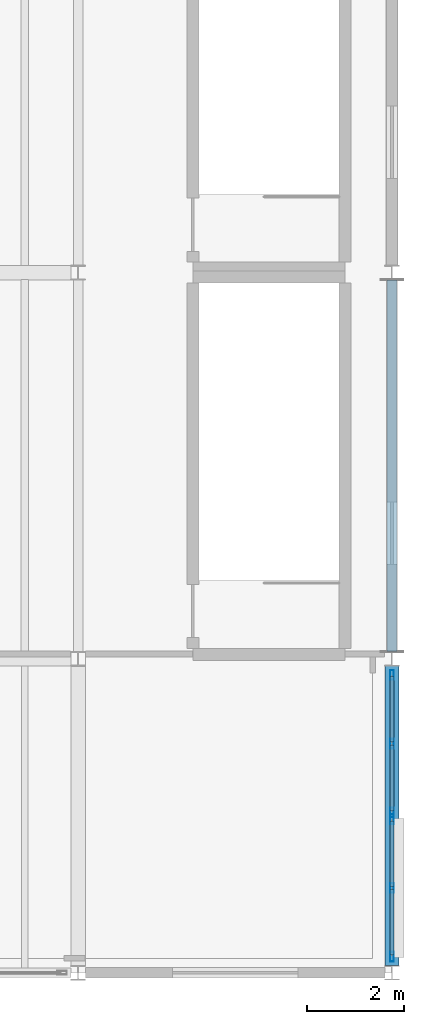
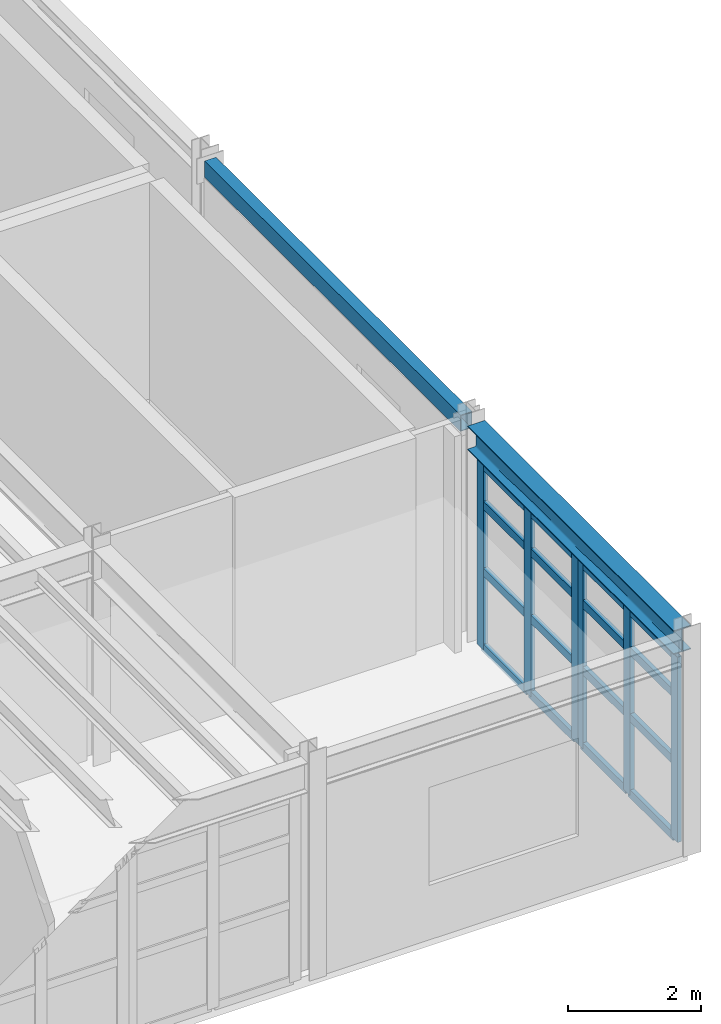
# One storey, part 9 of 27: 22 members, 2 beams, 2 elements without a shape of their own.
"""IFC4 building model written with IfcOpenShell, lengths in metres."""

from ifc_helpers import new_model, si_unit, direction, frame, origin, origin_2d, place, context, subcontext, project, spatial, hollow_rectangle, i_section, extrude, material, material_profile, profile_set, type_object, element, aggregate, save


model = new_model("IFC4")

# Units and contexts
model_context = context("Model", 3, precision=1e-05, world=origin(), true_north=direction((0.0, 1.0)))
body_context = subcontext(model_context, "Body", "Model", "MODEL_VIEW")
ifc_project = project(units=[si_unit("LENGTHUNIT", "METRE"), si_unit("AREAUNIT", "SQUARE_METRE"), si_unit("VOLUMEUNIT", "CUBIC_METRE"), si_unit("PLANEANGLEUNIT", "RADIAN"), si_unit("MASSUNIT", "GRAM", prefix="KILO"), si_unit("THERMODYNAMICTEMPERATUREUNIT", "KELVIN"), si_unit("POWERUNIT", "WATT")], contexts=[model_context])

# Site, building, storey
site_placement = place(None, origin())
site = spatial("IfcSite", under=ifc_project, at=site_placement, CompositionType="ELEMENT")
building_placement = place(site_placement, origin())
building = spatial("IfcBuilding", under=site, at=building_placement, Name="Zhenchuan Central Fire Station", CompositionType="ELEMENT")
storey_placement = place(building_placement, frame((0.0, 0.0, 14.25)))
storey = spatial("IfcBuildingStorey", under=building, at=storey_placement, Name="L04", CompositionType="ELEMENT", Elevation=14.25)

# Beam
ifc_material_1 = material(Name="Steel Q355B", Category="steel")
ifc_material_profile_1 = material_profile(ifc_material_1, i_section(OverallWidth=0.300048828125, OverallDepth=0.43994140625, WebThickness=0.010986328125, FlangeThickness=0.01806640625, FilletRadius=0.02197265625, at=origin_2d()), Name="HM 440x300")
ifc_profile_set_1 = profile_set([ifc_material_profile_1], Name="Steel Q355B")
beam_type_1 = type_object("IfcBeamType", Name="BM-HM440", PredefinedType="BEAM", material=ifc_profile_set_1)
beam_1_placement = place(storey_placement, frame((161.0, 0.14990234375, 3.760009765625), z_axis=(0.0, 1.0, 0.0), x_axis=(-1.0, 0.0, 0.0)))
element("IfcBeam", 1, at=beam_1_placement, inside=storey, type_object=beam_type_1, Name="L05 Girder NS 0480", PredefinedType="BEAM", context=body_context, shape_type="SweptSolid", body=[
    extrude(i_section(OverallWidth=0.300048828125, OverallDepth=0.43994140625, WebThickness=0.010986328125, FlangeThickness=0.01806640625, FilletRadius=0.02197265625, at=origin_2d()), origin(), (0.0, 0.0, 1.0), 6.2001953125),
])

# Curtain wall, members
ifc_material_2 = material(Name="Anodised aluminium and low-E glazing", Category="aluminium")
curtain_wall_type_1 = type_object("IfcCurtainWallType", Name="CW-MOD-04", PredefinedType="USERDEFINED", material=ifc_material_2)
curtain_wall_1_placement = place(storey_placement, origin())
curtain_wall_1 = element("IfcCurtainWall", 2, at=curtain_wall_1_placement, inside=storey, type_object=curtain_wall_type_1, Name="L04 Unitised Curtain Wall 126", ObjectType="UNITISED GLAZING", PredefinedType="USERDEFINED")
ifc_material_3 = material(Name="Anodised aluminium EN AW-6063", Category="aluminium")
ifc_material_profile_2 = material_profile(ifc_material_3, hollow_rectangle(XDim=0.074951171875, YDim=0.199951171875, WallThickness=0.0048828125, at=origin_2d()), Name="ALU-M 200x75")
ifc_profile_set_2 = profile_set([ifc_material_profile_2], Name="Anodised aluminium EN AW-6063")
member_type_1 = type_object("IfcMemberType", Name="CW-MUL160", PredefinedType="MULLION", material=ifc_profile_set_2)
member_1_placement = place(storey_placement, frame((161.0, 0.33251953125, -0.00390625), z_axis=(0.0, 0.0, 1.0), x_axis=(-1.0, 0.0, 0.0)))
member_1 = element("IfcMember", 3, at=member_1_placement, type_object=member_type_1, Name="CW-04 mullion 1", PredefinedType="MULLION", context=body_context, shape_type="SweptSolid", body=[
    extrude(hollow_rectangle(XDim=0.074951171875, YDim=0.199951171875, WallThickness=0.0048828125, at=origin_2d()), origin(), (0.0, 0.0, 1.0), 3.40380859375),
])
member_2_placement = place(storey_placement, frame((161.0, 1.756103515625, -0.00390625), z_axis=(0.0, 0.0, 1.0), x_axis=(-1.0, 0.0, 0.0)))
member_2 = element("IfcMember", 4, at=member_2_placement, type_object=member_type_1, Name="CW-04 mullion 2", PredefinedType="MULLION", context=body_context, shape_type="SweptSolid", body=[
    extrude(hollow_rectangle(XDim=0.074951171875, YDim=0.199951171875, WallThickness=0.0048828125, at=origin_2d()), origin(), (0.0, 0.0, 1.0), 3.40380859375),
])
member_3_placement = place(storey_placement, frame((161.0, 3.179443359375, -0.00390625), z_axis=(0.0, 0.0, 1.0), x_axis=(-1.0, 0.0, 0.0)))
member_3 = element("IfcMember", 5, at=member_3_placement, type_object=member_type_1, Name="CW-04 mullion 3", PredefinedType="MULLION", context=body_context, shape_type="SweptSolid", body=[
    extrude(hollow_rectangle(XDim=0.074951171875, YDim=0.199951171875, WallThickness=0.0048828125, at=origin_2d()), origin(), (0.0, 0.0, 1.0), 3.40380859375),
])

curtain_wall_type_2 = type_object("IfcCurtainWallType", Name="CW-MOD-05", PredefinedType="USERDEFINED", material=ifc_material_2)
curtain_wall_2_placement = place(storey_placement, origin())
curtain_wall_2 = element("IfcCurtainWall", 6, at=curtain_wall_2_placement, inside=storey, type_object=curtain_wall_type_2, Name="L04 Unitised Curtain Wall 127", ObjectType="UNITISED GLAZING", PredefinedType="USERDEFINED")
member_4_placement = place(storey_placement, frame((161.0, 3.320556640625, -0.00390625), z_axis=(0.0, 0.0, 1.0), x_axis=(-1.0, 0.0, 0.0)))
member_4 = element("IfcMember", 7, at=member_4_placement, type_object=member_type_1, Name="CW-05 mullion 1", PredefinedType="MULLION", context=body_context, shape_type="SweptSolid", body=[
    extrude(hollow_rectangle(XDim=0.074951171875, YDim=0.199951171875, WallThickness=0.0048828125, at=origin_2d()), origin(), (0.0, 0.0, 1.0), 3.40380859375),
])
member_5_placement = place(storey_placement, frame((161.0, 4.743896484375, -0.00390625), z_axis=(0.0, 0.0, 1.0), x_axis=(-1.0, 0.0, 0.0)))
member_5 = element("IfcMember", 8, at=member_5_placement, type_object=member_type_1, Name="CW-05 mullion 2", PredefinedType="MULLION", context=body_context, shape_type="SweptSolid", body=[
    extrude(hollow_rectangle(XDim=0.074951171875, YDim=0.199951171875, WallThickness=0.0048828125, at=origin_2d()), origin(), (0.0, 0.0, 1.0), 3.40380859375),
])
member_6_placement = place(storey_placement, frame((161.0, 6.16748046875, -0.00390625), z_axis=(0.0, 0.0, 1.0), x_axis=(-1.0, 0.0, 0.0)))
member_6 = element("IfcMember", 9, at=member_6_placement, type_object=member_type_1, Name="CW-05 mullion 3", PredefinedType="MULLION", context=body_context, shape_type="SweptSolid", body=[
    extrude(hollow_rectangle(XDim=0.074951171875, YDim=0.199951171875, WallThickness=0.0048828125, at=origin_2d()), origin(), (0.0, 0.0, 1.0), 3.40380859375),
])

# Member
ifc_material_profile_3 = material_profile(ifc_material_3, hollow_rectangle(XDim=0.074951171875, YDim=0.14990234375, WallThickness=0.0048828125, at=origin_2d()), Name="ALU-T 150x75")
ifc_profile_set_3 = profile_set([ifc_material_profile_3], Name="Anodised aluminium EN AW-6063")
member_type_2 = type_object("IfcMemberType", Name="CW-TRN130", PredefinedType="NOTDEFINED", material=ifc_profile_set_3)
member_7_placement = place(storey_placement, frame((161.0, 0.364990234375, 0.028564453125), z_axis=(0.0, 1.0, 0.0), x_axis=(-1.0, 0.0, 0.0)))
member_7 = element("IfcMember", 10, at=member_7_placement, type_object=member_type_2, Name="CW-04 transom 1.1", ObjectType="TRANSOM", PredefinedType="USERDEFINED", context=body_context, shape_type="SweptSolid", body=[
    extrude(hollow_rectangle(XDim=0.074951171875, YDim=0.14990234375, WallThickness=0.0048828125, at=origin_2d()), origin(), (0.0, 0.0, 1.0), 1.3583984375),
])

member_8_placement = place(storey_placement, frame((161.0, 0.364990234375, 1.427978515625), z_axis=(0.0, 1.0, 0.0), x_axis=(-1.0, 0.0, 0.0)))
member_8 = element("IfcMember", 11, at=member_8_placement, type_object=member_type_2, Name="CW-04 transom 1.2", ObjectType="TRANSOM", PredefinedType="USERDEFINED", context=body_context, shape_type="SweptSolid", body=[
    extrude(hollow_rectangle(XDim=0.074951171875, YDim=0.14990234375, WallThickness=0.0048828125, at=origin_2d()), origin(), (0.0, 0.0, 1.0), 1.3583984375),
])

member_9_placement = place(storey_placement, frame((161.0, 0.364990234375, 2.652099609375), z_axis=(0.0, 1.0, 0.0), x_axis=(-1.0, 0.0, 0.0)))
member_9 = element("IfcMember", 12, at=member_9_placement, type_object=member_type_2, Name="CW-04 transom 1.3", ObjectType="TRANSOM", PredefinedType="USERDEFINED", context=body_context, shape_type="SweptSolid", body=[
    extrude(hollow_rectangle(XDim=0.074951171875, YDim=0.14990234375, WallThickness=0.0048828125, at=origin_2d()), origin(), (0.0, 0.0, 1.0), 1.3583984375),
])

member_10_placement = place(storey_placement, frame((161.0, 0.364990234375, 3.367431640625), z_axis=(0.0, 1.0, 0.0), x_axis=(-1.0, 0.0, 0.0)))
member_10 = element("IfcMember", 13, at=member_10_placement, type_object=member_type_2, Name="CW-04 transom 1.4", ObjectType="TRANSOM", PredefinedType="USERDEFINED", context=body_context, shape_type="SweptSolid", body=[
    extrude(hollow_rectangle(XDim=0.074951171875, YDim=0.14990234375, WallThickness=0.0048828125, at=origin_2d()), origin(), (0.0, 0.0, 1.0), 1.3583984375),
])

member_11_placement = place(storey_placement, frame((161.0, 1.78857421875, 0.028564453125), z_axis=(0.0, 1.0, 0.0), x_axis=(-1.0, 0.0, 0.0)))
member_11 = element("IfcMember", 14, at=member_11_placement, type_object=member_type_2, Name="CW-04 transom 2.1", ObjectType="TRANSOM", PredefinedType="USERDEFINED", context=body_context, shape_type="SweptSolid", body=[
    extrude(hollow_rectangle(XDim=0.074951171875, YDim=0.14990234375, WallThickness=0.0048828125, at=origin_2d()), origin(), (0.0, 0.0, 1.0), 1.3583984375),
])

member_12_placement = place(storey_placement, frame((161.0, 1.78857421875, 1.427978515625), z_axis=(0.0, 1.0, 0.0), x_axis=(-1.0, 0.0, 0.0)))
member_12 = element("IfcMember", 15, at=member_12_placement, type_object=member_type_2, Name="CW-04 transom 2.2", ObjectType="TRANSOM", PredefinedType="USERDEFINED", context=body_context, shape_type="SweptSolid", body=[
    extrude(hollow_rectangle(XDim=0.074951171875, YDim=0.14990234375, WallThickness=0.0048828125, at=origin_2d()), origin(), (0.0, 0.0, 1.0), 1.3583984375),
])

member_13_placement = place(storey_placement, frame((161.0, 1.78857421875, 2.652099609375), z_axis=(0.0, 1.0, 0.0), x_axis=(-1.0, 0.0, 0.0)))
member_13 = element("IfcMember", 16, at=member_13_placement, type_object=member_type_2, Name="CW-04 transom 2.3", ObjectType="TRANSOM", PredefinedType="USERDEFINED", context=body_context, shape_type="SweptSolid", body=[
    extrude(hollow_rectangle(XDim=0.074951171875, YDim=0.14990234375, WallThickness=0.0048828125, at=origin_2d()), origin(), (0.0, 0.0, 1.0), 1.3583984375),
])

member_14_placement = place(storey_placement, frame((161.0, 1.78857421875, 3.367431640625), z_axis=(0.0, 1.0, 0.0), x_axis=(-1.0, 0.0, 0.0)))
member_14 = element("IfcMember", 17, at=member_14_placement, type_object=member_type_2, Name="CW-04 transom 2.4", ObjectType="TRANSOM", PredefinedType="USERDEFINED", context=body_context, shape_type="SweptSolid", body=[
    extrude(hollow_rectangle(XDim=0.074951171875, YDim=0.14990234375, WallThickness=0.0048828125, at=origin_2d()), origin(), (0.0, 0.0, 1.0), 1.3583984375),
])

aggregate(curtain_wall_1, [member_1, member_2, member_3, member_7, member_8, member_9, member_10, member_11, member_12, member_13, member_14])

member_15_placement = place(storey_placement, frame((161.0, 3.35302734375, 0.028564453125), z_axis=(0.0, 1.0, 0.0), x_axis=(-1.0, 0.0, 0.0)))
member_15 = element("IfcMember", 18, at=member_15_placement, type_object=member_type_2, Name="CW-05 transom 1.1", ObjectType="TRANSOM", PredefinedType="USERDEFINED", context=body_context, shape_type="SweptSolid", body=[
    extrude(hollow_rectangle(XDim=0.074951171875, YDim=0.14990234375, WallThickness=0.0048828125, at=origin_2d()), origin(), (0.0, 0.0, 1.0), 1.3583984375),
])

member_16_placement = place(storey_placement, frame((161.0, 3.35302734375, 1.427978515625), z_axis=(0.0, 1.0, 0.0), x_axis=(-1.0, 0.0, 0.0)))
member_16 = element("IfcMember", 19, at=member_16_placement, type_object=member_type_2, Name="CW-05 transom 1.2", ObjectType="TRANSOM", PredefinedType="USERDEFINED", context=body_context, shape_type="SweptSolid", body=[
    extrude(hollow_rectangle(XDim=0.074951171875, YDim=0.14990234375, WallThickness=0.0048828125, at=origin_2d()), origin(), (0.0, 0.0, 1.0), 1.3583984375),
])

member_17_placement = place(storey_placement, frame((161.0, 3.35302734375, 2.652099609375), z_axis=(0.0, 1.0, 0.0), x_axis=(-1.0, 0.0, 0.0)))
member_17 = element("IfcMember", 20, at=member_17_placement, type_object=member_type_2, Name="CW-05 transom 1.3", ObjectType="TRANSOM", PredefinedType="USERDEFINED", context=body_context, shape_type="SweptSolid", body=[
    extrude(hollow_rectangle(XDim=0.074951171875, YDim=0.14990234375, WallThickness=0.0048828125, at=origin_2d()), origin(), (0.0, 0.0, 1.0), 1.3583984375),
])

member_18_placement = place(storey_placement, frame((161.0, 3.35302734375, 3.367431640625), z_axis=(0.0, 1.0, 0.0), x_axis=(-1.0, 0.0, 0.0)))
member_18 = element("IfcMember", 21, at=member_18_placement, type_object=member_type_2, Name="CW-05 transom 1.4", ObjectType="TRANSOM", PredefinedType="USERDEFINED", context=body_context, shape_type="SweptSolid", body=[
    extrude(hollow_rectangle(XDim=0.074951171875, YDim=0.14990234375, WallThickness=0.0048828125, at=origin_2d()), origin(), (0.0, 0.0, 1.0), 1.3583984375),
])

member_19_placement = place(storey_placement, frame((161.0, 4.776611328125, 0.028564453125), z_axis=(0.0, 1.0, 0.0), x_axis=(-1.0, 0.0, 0.0)))
member_19 = element("IfcMember", 22, at=member_19_placement, type_object=member_type_2, Name="CW-05 transom 2.1", ObjectType="TRANSOM", PredefinedType="USERDEFINED", context=body_context, shape_type="SweptSolid", body=[
    extrude(hollow_rectangle(XDim=0.074951171875, YDim=0.14990234375, WallThickness=0.0048828125, at=origin_2d()), origin(), (0.0, 0.0, 1.0), 1.3583984375),
])

member_20_placement = place(storey_placement, frame((161.0, 4.776611328125, 1.427978515625), z_axis=(0.0, 1.0, 0.0), x_axis=(-1.0, 0.0, 0.0)))
member_20 = element("IfcMember", 23, at=member_20_placement, type_object=member_type_2, Name="CW-05 transom 2.2", ObjectType="TRANSOM", PredefinedType="USERDEFINED", context=body_context, shape_type="SweptSolid", body=[
    extrude(hollow_rectangle(XDim=0.074951171875, YDim=0.14990234375, WallThickness=0.0048828125, at=origin_2d()), origin(), (0.0, 0.0, 1.0), 1.3583984375),
])

member_21_placement = place(storey_placement, frame((161.0, 4.776611328125, 2.652099609375), z_axis=(0.0, 1.0, 0.0), x_axis=(-1.0, 0.0, 0.0)))
member_21 = element("IfcMember", 24, at=member_21_placement, type_object=member_type_2, Name="CW-05 transom 2.3", ObjectType="TRANSOM", PredefinedType="USERDEFINED", context=body_context, shape_type="SweptSolid", body=[
    extrude(hollow_rectangle(XDim=0.074951171875, YDim=0.14990234375, WallThickness=0.0048828125, at=origin_2d()), origin(), (0.0, 0.0, 1.0), 1.3583984375),
])

member_22_placement = place(storey_placement, frame((161.0, 4.776611328125, 3.367431640625), z_axis=(0.0, 1.0, 0.0), x_axis=(-1.0, 0.0, 0.0)))
member_22 = element("IfcMember", 25, at=member_22_placement, type_object=member_type_2, Name="CW-05 transom 2.4", ObjectType="TRANSOM", PredefinedType="USERDEFINED", context=body_context, shape_type="SweptSolid", body=[
    extrude(hollow_rectangle(XDim=0.074951171875, YDim=0.14990234375, WallThickness=0.0048828125, at=origin_2d()), origin(), (0.0, 0.0, 1.0), 1.3583984375),
])

aggregate(curtain_wall_2, [member_4, member_5, member_6, member_15, member_16, member_17, member_18, member_19, member_20, member_21, member_22])

# Beam
ifc_material_profile_4 = material_profile(ifc_material_1, hollow_rectangle(XDim=0.199951171875, YDim=0.300048828125, WallThickness=0.011962890625, at=origin_2d()), Name="RHS 300x200x12")
ifc_profile_set_4 = profile_set([ifc_material_profile_4], Name="Steel Q355B")
beam_type_2 = type_object("IfcBeamType", Name="SP-RHS300", PredefinedType="SPANDREL", material=ifc_profile_set_4)
beam_2_placement = place(storey_placement, frame((161.0, 6.64990234375, 3.830078125), z_axis=(0.0, 1.0, 0.0), x_axis=(-1.0, 0.0, 0.0)))
element("IfcBeam", 26, at=beam_2_placement, inside=storey, type_object=beam_type_2, Name="L05 Girder NS 0481", PredefinedType="SPANDREL", context=body_context, shape_type="SweptSolid", body=[
    extrude(hollow_rectangle(XDim=0.199951171875, YDim=0.300048828125, WallThickness=0.011962890625, at=origin_2d()), origin(), (0.0, 0.0, 1.0), 7.7001953125),
])

save(model, "model.ifc")
